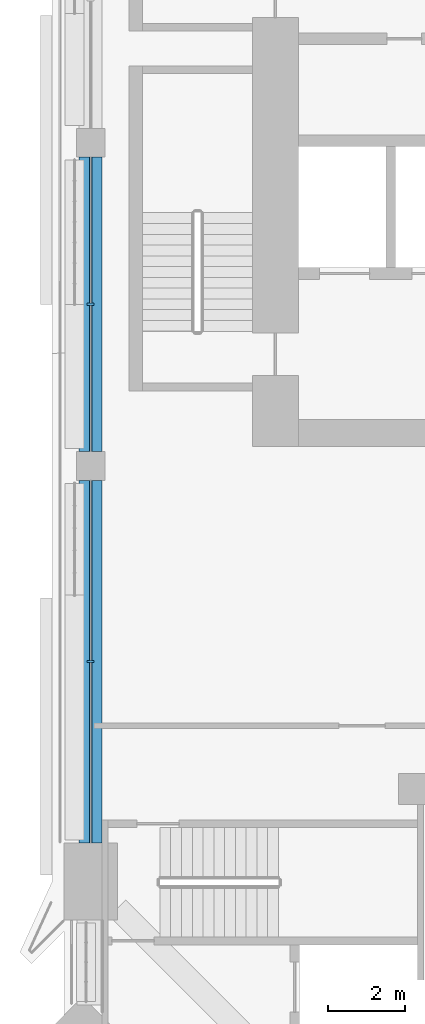
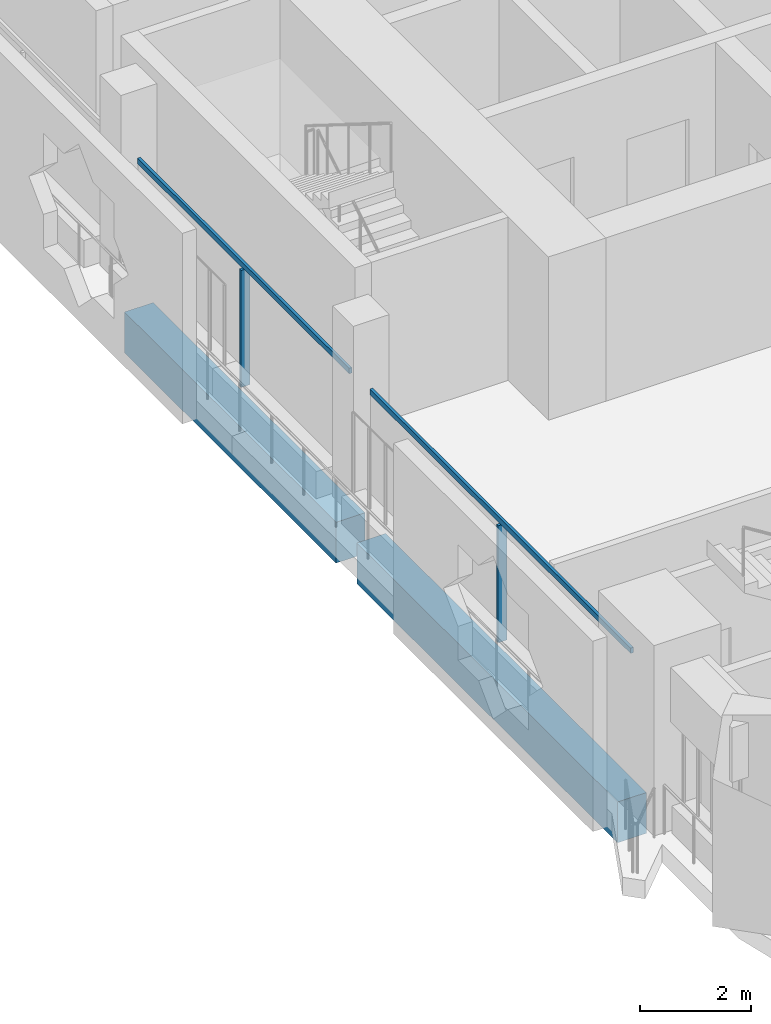
# One storey, part 3 of 22: 4 members, 2 beams, 1 element without a shape of its own.
"""IFC4 building model written with IfcOpenShell, lengths in metres."""

from ifc_helpers import new_model, si_unit, direction, frame, origin, origin_2d, place, context, subcontext, project, spatial, rectangle, extrude, material, layer, layer_set, material_profile, profile_set, type_object, element, aggregate, save


model = new_model("IFC4")

# Units and contexts
model_context = context("Model", 3, precision=1e-05, world=origin(), true_north=direction((0.0, 1.0)))
body_context = subcontext(model_context, "Body", "Model", "MODEL_VIEW")
ifc_project = project(units=[si_unit("LENGTHUNIT", "METRE"), si_unit("AREAUNIT", "SQUARE_METRE"), si_unit("VOLUMEUNIT", "CUBIC_METRE"), si_unit("PLANEANGLEUNIT", "RADIAN"), si_unit("MASSUNIT", "GRAM", prefix="KILO")], contexts=[model_context])

# Site, building, storey
site_placement = place(None, origin())
site = spatial("IfcSite", under=ifc_project, at=site_placement, CompositionType="ELEMENT")
building_placement = place(site_placement, origin())
building = spatial("IfcBuilding", under=site, at=building_placement, Name="Kawkab Arch Medical Tower", CompositionType="ELEMENT")
storey_placement = place(building_placement, frame((0.0, 0.0, 294.39990234375)))
storey = spatial("IfcBuildingStorey", under=building, at=storey_placement, Name="L68", CompositionType="ELEMENT", Elevation=294.39990234375)

# Curtain wall, members
ifc_material_1 = material(Name="Bronze anodised aluminium curtain wall frame", Category="aluminium")
ifc_layer = layer(ifc_material_1, 0.159912109375)
ifc_layer_set = layer_set([ifc_layer], Name="Bronze anodised aluminium curtain wall frame")
curtain_wall_type = type_object("IfcCurtainWallType", Name="CW1 ward curtain wall", PredefinedType="NOTDEFINED", material=ifc_layer_set)
curtain_wall_placement = place(storey_placement, origin())
curtain_wall = element("IfcCurtainWall", 1, at=curtain_wall_placement, inside=storey, type_object=curtain_wall_type, Name="CW1 Ward curtain wall R02", PredefinedType="NOTDEFINED")
ifc_material_2 = material(Name="Bronze anodised aluminium curtain wall frame", Category="aluminium")
ifc_material_profile_1 = material_profile(ifc_material_2, rectangle(XDim=0.179931640625, YDim=0.06005859375, at=origin_2d()), Name="AL 60x180")
ifc_profile_set_1 = profile_set([ifc_material_profile_1], Name="Bronze anodised aluminium curtain wall frame")
member_type_1 = type_object("IfcMemberType", Name="CW1 mullion 60 x 180", PredefinedType="MULLION", material=ifc_profile_set_1)
member_1_placement = place(storey_placement, frame((0.0, -21.0, 0.0), z_axis=(0.0, 0.0, 1.0), x_axis=(1.0, 0.0, 0.0)))
member_1 = element("IfcMember", 2, at=member_1_placement, type_object=member_type_1, Name="CW1 mullion 2.1", PredefinedType="MULLION", context=body_context, shape_type="SweptSolid", body=[
    extrude(rectangle(XDim=0.179931640625, YDim=0.06005859375, at=origin_2d()), origin(), (0.0, 0.0, 1.0), 2.580078125),
])
member_2_placement = place(storey_placement, frame((0.0, -30.28759765625, 0.0), z_axis=(0.0, 0.0, 1.0), x_axis=(1.0, 0.0, 0.0)))
member_2 = element("IfcMember", 3, at=member_2_placement, type_object=member_type_1, Name="CW1 mullion 3.1", PredefinedType="MULLION", context=body_context, shape_type="SweptSolid", body=[
    extrude(rectangle(XDim=0.179931640625, YDim=0.06005859375, at=origin_2d()), origin(), (0.0, 0.0, 1.0), 2.580078125),
])
ifc_material_3 = material(Name="Bronze anodised aluminium curtain wall frame", Category="aluminium")
ifc_material_profile_2 = material_profile(ifc_material_3, rectangle(XDim=0.06005859375, YDim=0.1201171875, at=origin_2d()), Name="AL 60x120")
ifc_profile_set_2 = profile_set([ifc_material_profile_2], Name="Bronze anodised aluminium curtain wall frame")
member_type_2 = type_object("IfcMemberType", Name="CW1 transom 120 x 60", PredefinedType="USERDEFINED", material=ifc_profile_set_2)
member_3_placement = place(storey_placement, frame((0.0, -17.175048828125, 2.64013671875), z_axis=(0.0, -1.0, 0.0), x_axis=(1.0, 0.0, 0.0)))
member_3 = element("IfcMember", 4, at=member_3_placement, type_object=member_type_2, Name="CW1 transom 2", ObjectType="TRANSOM", PredefinedType="USERDEFINED", context=body_context, shape_type="SweptSolid", body=[
    extrude(rectangle(XDim=0.06005859375, YDim=0.1201171875, at=origin_2d()), origin(), (0.0, 0.0, 1.0), 7.64990234375),
])
member_4_placement = place(storey_placement, frame((0.0, -25.574951171875, 2.64013671875), z_axis=(0.0, -1.0, 0.0), x_axis=(1.0, 0.0, 0.0)))
member_4 = element("IfcMember", 5, at=member_4_placement, type_object=member_type_2, Name="CW1 transom 3", ObjectType="TRANSOM", PredefinedType="USERDEFINED", context=body_context, shape_type="SweptSolid", body=[
    extrude(rectangle(XDim=0.06005859375, YDim=0.1201171875, at=origin_2d()), origin(), (0.0, 0.0, 1.0), 9.425048828125),
])
aggregate(curtain_wall, [member_3, member_1, member_4, member_2])

# Beams
ifc_material_4 = material(Name="Concrete C40/50", Category="concrete")
ifc_material_profile_3 = material_profile(ifc_material_4, rectangle(XDim=0.60009765625, YDim=0.89990234375, at=origin_2d()), Name="RC 600x900")
ifc_profile_set_3 = profile_set([ifc_material_profile_3], Name="Concrete C40/50")
beam_type = type_object("IfcBeamType", Name="RC 600x900 beam C40/50", PredefinedType="BEAM", material=ifc_profile_set_3)
beam_1_placement = place(storey_placement, frame((0.0, -35.0, -1.0498046875), z_axis=(0.0, 1.0, 0.0), x_axis=(-1.0, 0.0, 0.0)))
element("IfcBeam", 6, at=beam_1_placement, inside=storey, type_object=beam_type, Name="Overhang edge beam L68-03", PredefinedType="BEAM", context=body_context, shape_type="SweptSolid", body=[
    extrude(rectangle(XDim=0.60009765625, YDim=0.89990234375, at=origin_2d()), origin(), (0.0, 0.0, 1.0), 9.425048828125),
])
beam_2_placement = place(storey_placement, frame((0.0, -24.824951171875, -1.0498046875), z_axis=(0.0, 1.0, 0.0), x_axis=(-1.0, 0.0, 0.0)))
element("IfcBeam", 7, at=beam_2_placement, inside=storey, type_object=beam_type, Name="Overhang edge beam L68-04", PredefinedType="BEAM", context=body_context, shape_type="SweptSolid", body=[
    extrude(rectangle(XDim=0.60009765625, YDim=0.89990234375, at=origin_2d()), origin(), (0.0, 0.0, 1.0), 7.64990234375),
])

save(model, "model.ifc")
